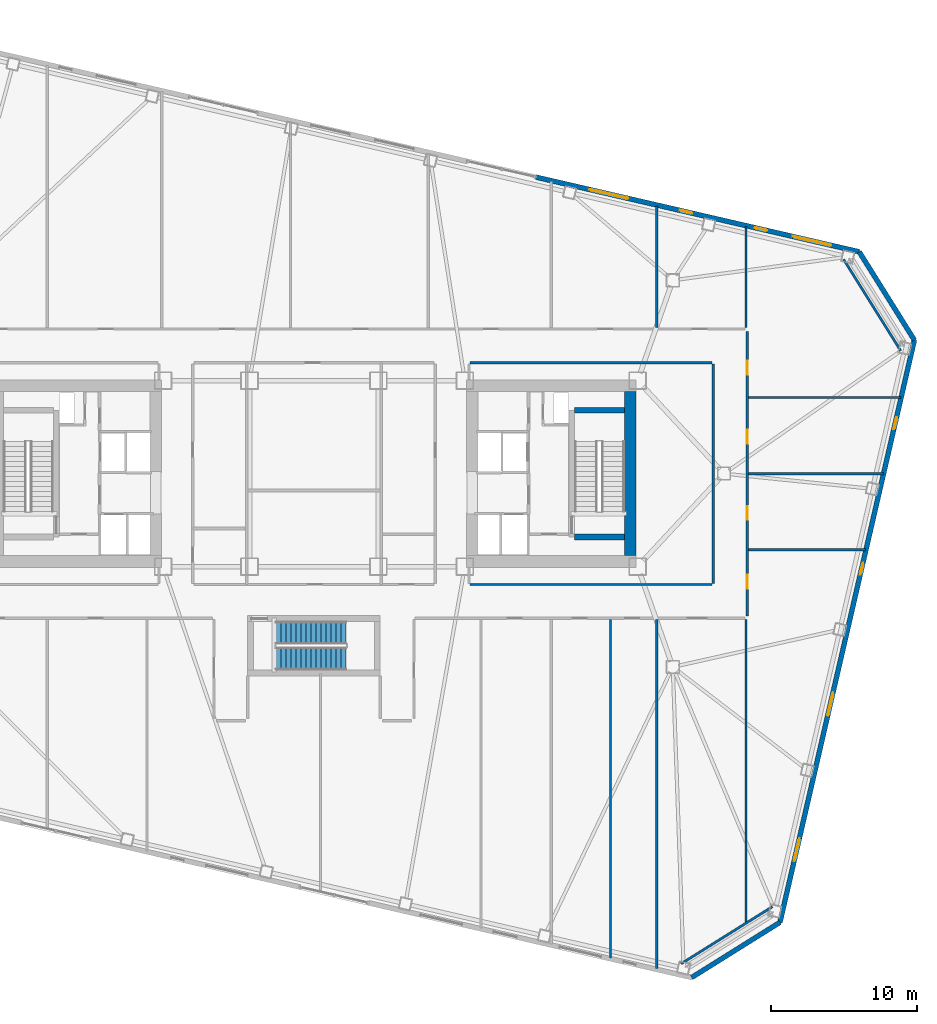
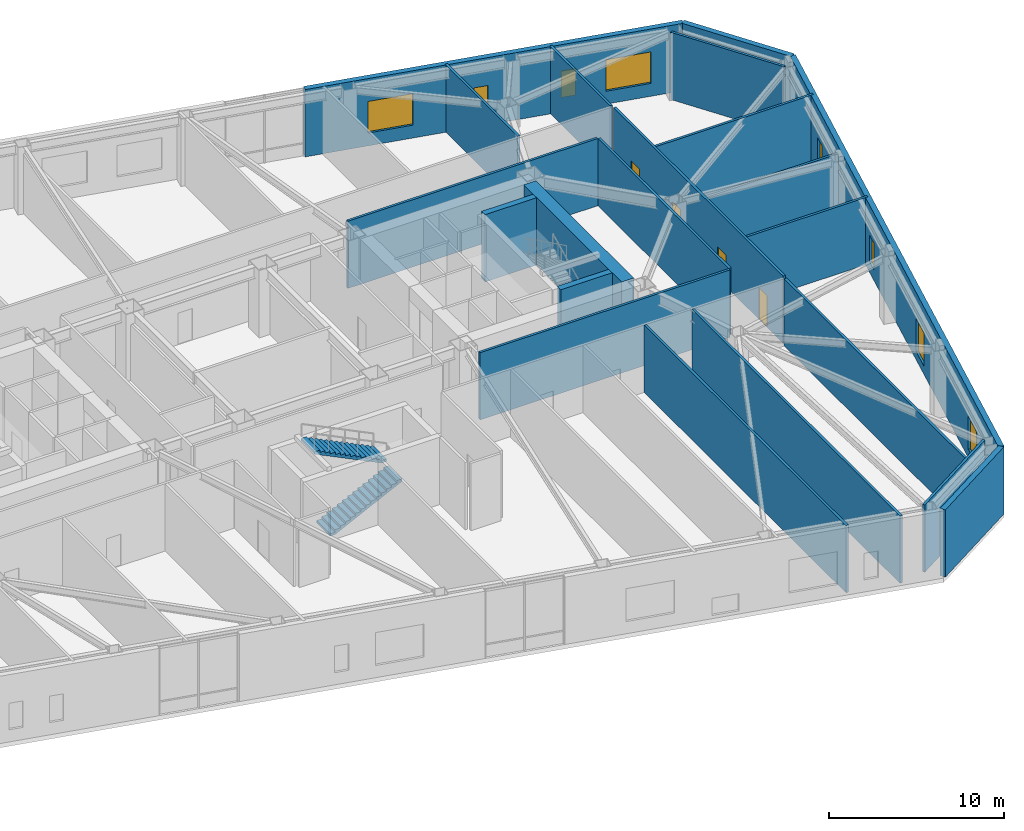
# One storey, part 13 of 20: 21 walls, 8 windows, 4 doors, 2 stair flights, 12 openings, 1 element without a shape of its own.
"""IFC4 building model written with IfcOpenShell, lengths in metres."""

from ifc_helpers import new_model, si_unit, direction, frame, frame_2d, origin, place, context, subcontext, project, spatial, polyline, rectangle, outline, extrude, material, layer, layer_set, type_object, element, fill, aggregate, save


model = new_model("IFC4")

# Units and contexts
model_context = context("Model", 3, precision=1e-05, world=origin(), true_north=direction((0.0, 1.0)))
body_context = subcontext(model_context, "Body", "Model", "MODEL_VIEW")
ifc_project = project(units=[si_unit("LENGTHUNIT", "METRE"), si_unit("AREAUNIT", "SQUARE_METRE"), si_unit("VOLUMEUNIT", "CUBIC_METRE"), si_unit("PLANEANGLEUNIT", "RADIAN"), si_unit("MASSUNIT", "GRAM", prefix="KILO")], contexts=[model_context])

# Site, building, storey
site_placement = place(None, origin())
site = spatial("IfcSite", under=ifc_project, at=site_placement, CompositionType="ELEMENT")
building_placement = place(site_placement, origin())
building = spatial("IfcBuilding", under=site, at=building_placement, Name="Tavrogorsk Clinical Tower", CompositionType="ELEMENT")
storey_placement = place(building_placement, frame((0.0, 0.0, 18.39990234375)))
storey = spatial("IfcBuildingStorey", under=building, at=storey_placement, Name="L03", CompositionType="ELEMENT", Elevation=18.39990234375)

# Walls
ifc_material_1 = material(Name="Lightweight concrete blockwork B15", Category="masonry")
ifc_layer_1 = layer(ifc_material_1, 0.159912109375)
ifc_layer_set_1 = layer_set([ifc_layer_1], Name="Lightweight concrete blockwork B15")
wall_type_1 = type_object("IfcWallType", Name="PartitionWall_160", PredefinedType="PARTITIONING", material=ifc_layer_set_1)
for number, where, z_axis, x_axis, name in (
    (1, (25.0595703125, -33.46826171875, 0.0), (0.0, 0.0, 1.0), (0.848043064089, 0.529927317139, 0.0), "L03 Corner Exoskeleton Brace Furring Wall 1"),
    (2, (40.059814453125, 8.389404296875, 0.0), (0.0, 0.0, 1.0), (-0.529927317139, 0.848043064089, 0.0), "L03 Corner Exoskeleton Brace Furring Wall 2"),
):
    element("IfcWall", number, at=place(storey_placement, frame(where, z_axis=z_axis, x_axis=x_axis)), inside=storey, type_object=wall_type_1, Name=name, PredefinedType="PARTITIONING", context=body_context, shape_type="SweptSolid", body=[
        extrude(rectangle(XDim=7.353759765625, YDim=0.159912109375, at=frame_2d((3.6767578125, 0.0))), origin(), (0.0, 0.0, 1.0), 4.7001953125),
    ])

# Wall, openings, doors
wall_1_placement = place(storey_placement, frame((29.580078125, 9.715087890625, 0.0), z_axis=(0.0, 0.0, 1.0), x_axis=(0.0, -1.0, 0.0)))
wall_1 = element("IfcWall", 3, at=wall_1_placement, inside=storey, type_object=wall_type_1, Name="L03 Corridor Partition 03", PredefinedType="PARTITIONING", context=body_context, shape_type="SweptSolid", body=[
    extrude(rectangle(XDim=19.43017578125, YDim=0.159912109375, at=frame_2d((9.715087890625, 0.0))), origin(), (0.0, 0.0, 1.0), 4.7001953125),
])
opening_1_placement = place(wall_1_placement, frame((16.630859375, 0.0, 0.0)))
opening_1 = element("IfcOpeningElement", 4, at=opening_1_placement, cuts=wall_1, Name="Opening ID-02", PredefinedType="OPENING", context=body_context, shape_type="SweptSolid", body=[
    extrude(rectangle(XDim=0.949951171875, YDim=2.199951171875, at=frame_2d((0.47509765625, 1.10009765625))), frame((0.0, 0.08984375, 0.0), z_axis=(0.0, -1.0, 0.0), x_axis=(1.0, 0.0, 0.0)), (0.0, 0.0, 1.0), 0.179931640625),
])
opening_2_placement = place(wall_1_placement, frame((11.925048828125, 0.0, 0.0)))
opening_2 = element("IfcOpeningElement", 5, at=opening_2_placement, cuts=wall_1, Name="Opening ID-02", PredefinedType="OPENING", context=body_context, shape_type="SweptSolid", body=[
    extrude(rectangle(XDim=0.949951171875, YDim=2.199951171875, at=frame_2d((0.47509765625, 1.10009765625))), frame((0.0, 0.08984375, 0.0), z_axis=(0.0, -1.0, 0.0), x_axis=(1.0, 0.0, 0.0)), (0.0, 0.0, 1.0), 0.179931640625),
])
opening_3_placement = place(wall_1_placement, frame((6.72509765625, 0.0, 0.0)))
opening_3 = element("IfcOpeningElement", 6, at=opening_3_placement, cuts=wall_1, Name="Opening ID-02", PredefinedType="OPENING", context=body_context, shape_type="SweptSolid", body=[
    extrude(rectangle(XDim=0.949951171875, YDim=2.199951171875, at=frame_2d((0.47509765625, 1.10009765625))), frame((0.0, 0.08984375, 0.0), z_axis=(0.0, -1.0, 0.0), x_axis=(1.0, 0.0, 0.0)), (0.0, 0.0, 1.0), 0.179931640625),
])
opening_4_placement = place(wall_1_placement, frame((2.01904296875, 0.0, 0.0)))
opening_4 = element("IfcOpeningElement", 7, at=opening_4_placement, cuts=wall_1, Name="Opening ID-02", PredefinedType="OPENING", context=body_context, shape_type="SweptSolid", body=[
    extrude(rectangle(XDim=0.949951171875, YDim=2.199951171875, at=frame_2d((0.47509765625, 1.10009765625))), frame((0.0, 0.08984375, 0.0), z_axis=(0.0, -1.0, 0.0), x_axis=(1.0, 0.0, 0.0)), (0.0, 0.0, 1.0), 0.179931640625),
])
ifc_material_2 = material(Name="Laminated timber leaf on aluminium frame", Category="wood")
door_type = type_object("IfcDoorType", Name="InteriorDoor_ID02_950", OperationType="NOTDEFINED", PredefinedType="DOOR", material=ifc_material_2)
door_1_placement = place(opening_1_placement, origin())
door_1 = element("IfcDoor", 8, at=door_1_placement, inside=storey, type_object=door_type, Name="L03 E Senior Clinician Suite 1 Door", OperationType="SINGLE_SWING_RIGHT", OverallHeight=2.199951171875, OverallWidth=0.949951171875, PredefinedType="DOOR", context=body_context, shape_type="SweptSolid", body=[
    extrude(rectangle(XDim=0.949951171875, YDim=2.199951171875, at=frame_2d((0.47509765625, 1.10009765625))), frame((0.0, 0.02490234375, 0.0), z_axis=(0.0, -1.0, 0.0), x_axis=(1.0, 0.0, 0.0)), (0.0, 0.0, 1.0), 0.050048828125),
])
fill(opening_1, door_1)
door_2_placement = place(opening_2_placement, origin())
door_2 = element("IfcDoor", 9, at=door_2_placement, inside=storey, type_object=door_type, Name="L03 E Multidisciplinary Seminar Suite 2 Door", OperationType="SINGLE_SWING_LEFT", OverallHeight=2.199951171875, OverallWidth=0.949951171875, PredefinedType="DOOR", context=body_context, shape_type="SweptSolid", body=[
    extrude(rectangle(XDim=0.949951171875, YDim=2.199951171875, at=frame_2d((0.47509765625, 1.10009765625))), frame((0.0, 0.02490234375, 0.0), z_axis=(0.0, -1.0, 0.0), x_axis=(1.0, 0.0, 0.0)), (0.0, 0.0, 1.0), 0.050048828125),
])
fill(opening_2, door_2)
door_3_placement = place(opening_3_placement, origin())
door_3 = element("IfcDoor", 10, at=door_3_placement, inside=storey, type_object=door_type, Name="L03 E Specialist Consultation Room 3 Door", OperationType="SINGLE_SWING_RIGHT", OverallHeight=2.199951171875, OverallWidth=0.949951171875, PredefinedType="DOOR", context=body_context, shape_type="SweptSolid", body=[
    extrude(rectangle(XDim=0.949951171875, YDim=2.199951171875, at=frame_2d((0.47509765625, 1.10009765625))), frame((0.0, 0.02490234375, 0.0), z_axis=(0.0, -1.0, 0.0), x_axis=(1.0, 0.0, 0.0)), (0.0, 0.0, 1.0), 0.050048828125),
])
fill(opening_3, door_3)
door_4_placement = place(opening_4_placement, origin())
door_4 = element("IfcDoor", 11, at=door_4_placement, inside=storey, type_object=door_type, Name="L03 E Clinical Fellows' Study 4 Door", OperationType="SINGLE_SWING_LEFT", OverallHeight=2.199951171875, OverallWidth=0.949951171875, PredefinedType="DOOR", context=body_context, shape_type="SweptSolid", body=[
    extrude(rectangle(XDim=0.949951171875, YDim=2.199951171875, at=frame_2d((0.47509765625, 1.10009765625))), frame((0.0, 0.02490234375, 0.0), z_axis=(0.0, -1.0, 0.0), x_axis=(1.0, 0.0, 0.0)), (0.0, 0.0, 1.0), 0.050048828125),
])
fill(opening_4, door_4)

# Walls
for number, where, z_axis, x_axis, name in (
    (12, (27.18505859375, 7.570068359375, 0.0), (0.0, 0.0, 1.0), (-1.0, 0.0, 0.0), "L03 Corridor Partition 12"),
    (13, (10.6650390625, -7.570068359375, 0.0), (0.0, 0.0, 1.0), (1.0, 0.0, 0.0), "L03 Corridor Partition 15"),
):
    element("IfcWall", number, at=place(storey_placement, frame(where, z_axis=z_axis, x_axis=x_axis)), inside=storey, type_object=wall_type_1, Name=name, PredefinedType="PARTITIONING", context=body_context, shape_type="SweptSolid", body=[
        extrude(rectangle(XDim=16.52001953125, YDim=0.159912109375, at=frame_2d((8.260009765625, 0.0))), origin(), (0.0, 0.0, 1.0), 4.7001953125),
    ])
wall_2_placement = place(storey_placement, frame((27.27001953125, -7.485107421875, 0.0), z_axis=(0.0, 0.0, 1.0), x_axis=(0.0, 1.0, 0.0)))
element("IfcWall", 14, at=wall_2_placement, inside=storey, type_object=wall_type_1, Name="L03 Corridor Partition 16", PredefinedType="PARTITIONING", context=body_context, shape_type="SweptSolid", body=[
    extrude(rectangle(XDim=14.97021484375, YDim=0.159912109375, at=frame_2d((7.485107421875, 0.0))), origin(), (0.0, 0.0, 1.0), 4.7001953125),
])
wall_3_placement = place(storey_placement, frame((29.5, 9.965087890625, 0.0), z_axis=(0.0, 0.0, 1.0), x_axis=(0.0, 1.0, 0.0)))
element("IfcWall", 15, at=wall_3_placement, inside=storey, type_object=wall_type_1, Name="L03 NE Wing Closure Partition", PredefinedType="PARTITIONING", context=body_context, shape_type="SweptSolid", body=[
    extrude(rectangle(XDim=6.897216796875, YDim=0.159912109375, at=frame_2d((3.44873046875, 0.0))), origin(), (0.0, 0.0, 1.0), 4.7001953125),
])
wall_4_placement = place(storey_placement, frame((29.5, -30.702880859375, 0.0), z_axis=(0.0, 0.0, 1.0), x_axis=(0.0, 1.0, 0.0)))
element("IfcWall", 16, at=wall_4_placement, inside=storey, type_object=wall_type_1, Name="L03 SE Wing Closure Partition", PredefinedType="PARTITIONING", context=body_context, shape_type="SweptSolid", body=[
    extrude(rectangle(XDim=20.73779296875, YDim=0.159912109375, at=frame_2d((10.368896484375, 0.0))), origin(), (0.0, 0.0, 1.0), 4.7001953125),
])
wall_5_placement = place(storey_placement, frame((23.39990234375, 9.965087890625, 0.0), z_axis=(0.0, 0.0, 1.0), x_axis=(0.0, 1.0, 0.0)))
element("IfcWall", 17, at=wall_5_placement, inside=storey, type_object=wall_type_1, Name="L03 North Room Partition 7", PredefinedType="PARTITIONING", context=body_context, shape_type="SweptSolid", body=[
    extrude(rectangle(XDim=8.3056640625, YDim=0.159912109375, at=frame_2d((4.15283203125, 0.0))), origin(), (0.0, 0.0, 1.0), 4.7001953125),
])
wall_6_placement = place(storey_placement, frame((23.39990234375, -33.783447265625, 0.0), z_axis=(0.0, 0.0, 1.0), x_axis=(0.0, 1.0, 0.0)))
element("IfcWall", 18, at=wall_6_placement, inside=storey, type_object=wall_type_1, Name="L03 South Room Partition 6", PredefinedType="PARTITIONING", context=body_context, shape_type="SweptSolid", body=[
    extrude(rectangle(XDim=23.818359375, YDim=0.159912109375, at=frame_2d((11.9091796875, 0.0))), origin(), (0.0, 0.0, 1.0), 4.7001953125),
])
wall_7_placement = place(storey_placement, frame((20.25, -33.05615234375, 0.0), z_axis=(0.0, 0.0, 1.0), x_axis=(0.0, 1.0, 0.0)))
element("IfcWall", 19, at=wall_7_placement, inside=storey, type_object=wall_type_1, Name="L03 South Sub-Partition 6", PredefinedType="PARTITIONING", context=body_context, shape_type="SweptSolid", body=[
    extrude(rectangle(XDim=23.091064453125, YDim=0.159912109375, at=frame_2d((11.54541015625, 0.0))), origin(), (0.0, 0.0, 1.0), 4.7001953125),
])
wall_8_placement = place(storey_placement, frame((29.6650390625, -5.199951171875, 0.0), z_axis=(0.0, 0.0, 1.0), x_axis=(1.0, 0.0, 0.0)))
element("IfcWall", 20, at=wall_8_placement, inside=storey, type_object=wall_type_1, Name="L03 E Wing Divider 1", PredefinedType="PARTITIONING", context=body_context, shape_type="SweptSolid", body=[
    extrude(rectangle(XDim=8.007080078125, YDim=0.159912109375, at=frame_2d((4.00341796875, 0.0))), origin(), (0.0, 0.0, 1.0), 4.7001953125),
])
wall_9_placement = place(storey_placement, frame((29.6650390625, 0.0, 0.0), z_axis=(0.0, 0.0, 1.0), x_axis=(1.0, 0.0, 0.0)))
element("IfcWall", 21, at=wall_9_placement, inside=storey, type_object=wall_type_1, Name="L03 E Wing Divider 2", PredefinedType="PARTITIONING", context=body_context, shape_type="SweptSolid", body=[
    extrude(rectangle(XDim=9.207763671875, YDim=0.159912109375, at=frame_2d((4.60400390625, 0.0))), origin(), (0.0, 0.0, 1.0), 4.195068359375),
])
wall_10_placement = place(storey_placement, frame((29.6650390625, 5.199951171875, 0.0), z_axis=(0.0, 0.0, 1.0), x_axis=(1.0, 0.0, 0.0)))
element("IfcWall", 22, at=wall_10_placement, inside=storey, type_object=wall_type_1, Name="L03 E Wing Divider 3", PredefinedType="PARTITIONING", context=body_context, shape_type="SweptSolid", body=[
    extrude(rectangle(XDim=10.408203125, YDim=0.159912109375, at=frame_2d((5.2041015625, 0.0))), origin(), (0.0, 0.0, 1.0), 4.7001953125),
])

# Wall, openings, windows
ifc_material_3 = material(Name="Precast concrete B45 with limestone cladding", Category="masonry")
ifc_layer_2 = layer(ifc_material_3, 0.340087890625)
ifc_layer_set_2 = layer_set([ifc_layer_2], Name="Precast concrete B45 with limestone cladding")
wall_type_2 = type_object("IfcWallType", Name="PrecastLimestoneWall_340", PredefinedType="STANDARD", material=ifc_layer_set_2)
wall_11_placement = place(storey_placement, frame((37.228515625, 15.14990234375, 0.0), z_axis=(0.0, 0.0, 1.0), x_axis=(-0.97436993772, 0.224951604723, 0.0)))
wall_11 = element("IfcWall", 23, at=wall_11_placement, inside=storey, type_object=wall_type_2, Name="L03 N Limestone Facade Wall 1", PredefinedType="STANDARD", context=body_context, shape_type="SweptSolid", body=[
    extrude(rectangle(XDim=22.6513671875, YDim=0.340087890625, at=frame_2d((11.32568359375, 0.0))), origin(), (0.0, 0.0, 1.0), 4.7001953125),
])
opening_5_placement = place(wall_11_placement, frame((16.195068359375, 0.0, 0.89990234375)))
opening_5 = element("IfcOpeningElement", 24, at=opening_5_placement, cuts=wall_11, Name="Opening WN-02", PredefinedType="OPENING", context=body_context, shape_type="SweptSolid", body=[
    extrude(rectangle(XDim=2.699951171875, YDim=2.199951171875, at=frame_2d((1.35009765625, 1.10009765625))), frame((0.0, 0.179931640625, 0.0), z_axis=(0.0, -1.0, 0.0), x_axis=(1.0, 0.0, 0.0)), (0.0, 0.0, 1.0), 0.360107421875),
])
opening_6_placement = place(wall_11_placement, frame((11.710693359375, 0.0, 0.89990234375)))
opening_6 = element("IfcOpeningElement", 25, at=opening_6_placement, cuts=wall_11, Name="Opening WN-06", PredefinedType="OPENING", context=body_context, shape_type="SweptSolid", body=[
    extrude(rectangle(XDim=0.85009765625, YDim=1.85009765625, at=frame_2d((0.425048828125, 0.925048828125))), frame((0.0, 0.179931640625, 0.0), z_axis=(0.0, -1.0, 0.0), x_axis=(1.0, 0.0, 0.0)), (0.0, 0.0, 1.0), 0.360107421875),
])
opening_7_placement = place(wall_11_placement, frame((6.446533203125, 0.0, 0.89990234375)))
opening_7 = element("IfcOpeningElement", 26, at=opening_7_placement, cuts=wall_11, Name="Opening WN-06", PredefinedType="OPENING", context=body_context, shape_type="SweptSolid", body=[
    extrude(rectangle(XDim=0.85009765625, YDim=1.85009765625, at=frame_2d((0.425048828125, 0.925048828125))), frame((0.0, 0.179931640625, 0.0), z_axis=(0.0, -1.0, 0.0), x_axis=(1.0, 0.0, 0.0)), (0.0, 0.0, 1.0), 0.360107421875),
])
opening_8_placement = place(wall_11_placement, frame((1.962158203125, 0.0, 0.89990234375)))
opening_8 = element("IfcOpeningElement", 27, at=opening_8_placement, cuts=wall_11, Name="Opening WN-02", PredefinedType="OPENING", context=body_context, shape_type="SweptSolid", body=[
    extrude(rectangle(XDim=2.699951171875, YDim=2.199951171875, at=frame_2d((1.35009765625, 1.10009765625))), frame((0.0, 0.179931640625, 0.0), z_axis=(0.0, -1.0, 0.0), x_axis=(1.0, 0.0, 0.0)), (0.0, 0.0, 1.0), 0.360107421875),
])
ifc_material_4 = material(Name="Thermally broken aluminium frame and triple IGU", Category="aluminium")
window_type_1 = type_object("IfcWindowType", Name="MullionSubWin_850x1850", PartitioningType="SINGLE_PANEL", PredefinedType="WINDOW", material=ifc_material_4)
window_1_placement = place(opening_6_placement, origin())
window_1 = element("IfcWindow", 28, at=window_1_placement, inside=storey, type_object=window_type_1, Name="L03 N Mullion Split Window 08A", OverallHeight=1.85009765625, OverallWidth=0.85009765625, PartitioningType="SINGLE_PANEL", PredefinedType="WINDOW", context=body_context, shape_type="SweptSolid", body=[
    extrude(rectangle(XDim=0.85009765625, YDim=1.85009765625, at=frame_2d((0.425048828125, 0.925048828125))), frame((0.0, 0.030029296875, 0.0), z_axis=(0.0, -1.0, 0.0), x_axis=(1.0, 0.0, 0.0)), (0.0, 0.0, 1.0), 0.06005859375),
])
fill(opening_6, window_1)
window_2_placement = place(opening_7_placement, origin())
window_2 = element("IfcWindow", 29, at=window_2_placement, inside=storey, type_object=window_type_1, Name="L03 N Mullion Split Window 09A", OverallHeight=1.85009765625, OverallWidth=0.85009765625, PartitioningType="SINGLE_PANEL", PredefinedType="WINDOW", context=body_context, shape_type="SweptSolid", body=[
    extrude(rectangle(XDim=0.85009765625, YDim=1.85009765625, at=frame_2d((0.425048828125, 0.925048828125))), frame((0.0, 0.030029296875, 0.0), z_axis=(0.0, -1.0, 0.0), x_axis=(1.0, 0.0, 0.0)), (0.0, 0.0, 1.0), 0.06005859375),
])
fill(opening_7, window_2)
ifc_material_5 = material(Name="Thermally broken aluminium frame and triple IGU", Category="aluminium")
window_type_2 = type_object("IfcWindowType", Name="WardChicagoWin_2700x2200", PartitioningType="TRIPLE_PANEL_HORIZONTAL", PredefinedType="WINDOW", material=ifc_material_5)
window_3_placement = place(opening_5_placement, origin())
window_3 = element("IfcWindow", 30, at=window_3_placement, inside=storey, type_object=window_type_2, Name="L03 N Chicago Window 07", OverallHeight=2.199951171875, OverallWidth=2.699951171875, PartitioningType="SINGLE_PANEL", PredefinedType="WINDOW", context=body_context, shape_type="SweptSolid", body=[
    extrude(rectangle(XDim=2.699951171875, YDim=2.199951171875, at=frame_2d((1.35009765625, 1.10009765625))), frame((0.0, 0.030029296875, 0.0), z_axis=(0.0, -1.0, 0.0), x_axis=(1.0, 0.0, 0.0)), (0.0, 0.0, 1.0), 0.06005859375),
])
fill(opening_5, window_3)
window_4_placement = place(opening_8_placement, origin())
window_4 = element("IfcWindow", 31, at=window_4_placement, inside=storey, type_object=window_type_2, Name="L03 N Chicago Window 10", OverallHeight=2.199951171875, OverallWidth=2.699951171875, PartitioningType="SINGLE_PANEL", PredefinedType="WINDOW", context=body_context, shape_type="SweptSolid", body=[
    extrude(rectangle(XDim=2.699951171875, YDim=2.199951171875, at=frame_2d((1.35009765625, 1.10009765625))), frame((0.0, 0.030029296875, 0.0), z_axis=(0.0, -1.0, 0.0), x_axis=(1.0, 0.0, 0.0)), (0.0, 0.0, 1.0), 0.06005859375),
])
fill(opening_8, window_4)

wall_12_placement = place(storey_placement, frame((31.820068359375, -30.636962890625, 0.0), z_axis=(0.0, 0.0, 1.0), x_axis=(0.224949969076, 0.974370315338, 0.0)))
wall_12 = element("IfcWall", 32, at=wall_12_placement, inside=storey, type_object=wall_type_2, Name="L03 E Pleated Limestone Wing Wall", PredefinedType="STANDARD", context=body_context, shape_type="SweptSolid", body=[
    extrude(rectangle(XDim=40.800048828125, YDim=0.340087890625, at=frame_2d((20.39990234375, 0.0))), origin(), (0.0, 0.0, 1.0), 4.7001953125),
])
opening_9_placement = place(wall_12_placement, frame((4.300048828125, 0.0, 0.580078125)))
opening_9 = element("IfcOpeningElement", 33, at=opening_9_placement, cuts=wall_12, Name="Opening WN-07", PredefinedType="OPENING", context=body_context, shape_type="SweptSolid", body=[
    extrude(rectangle(XDim=1.60009765625, YDim=2.300048828125, at=frame_2d((0.800048828125, 1.14990234375))), frame((0.0, 0.179931640625, 0.0), z_axis=(0.0, -1.0, 0.0), x_axis=(1.0, 0.0, 0.0)), (0.0, 0.0, 1.0), 0.360107421875),
])
opening_10_placement = place(wall_12_placement, frame((14.5, 0.0, 0.580078125)))
opening_10 = element("IfcOpeningElement", 34, at=opening_10_placement, cuts=wall_12, Name="Opening WN-07", PredefinedType="OPENING", context=body_context, shape_type="SweptSolid", body=[
    extrude(rectangle(XDim=1.60009765625, YDim=2.300048828125, at=frame_2d((0.800048828125, 1.14990234375))), frame((0.0, 0.179931640625, 0.0), z_axis=(0.0, -1.0, 0.0), x_axis=(1.0, 0.0, 0.0)), (0.0, 0.0, 1.0), 0.360107421875),
])
opening_11_placement = place(wall_12_placement, frame((24.35009765625, 0.0, 0.75)))
opening_11 = element("IfcOpeningElement", 35, at=opening_11_placement, cuts=wall_12, Name="Opening WN-06", PredefinedType="OPENING", context=body_context, shape_type="SweptSolid", body=[
    extrude(rectangle(XDim=0.85009765625, YDim=1.85009765625, at=frame_2d((0.425048828125, 0.925048828125))), frame((0.0, 0.179931640625, 0.0), z_axis=(0.0, -1.0, 0.0), x_axis=(1.0, 0.0, 0.0)), (0.0, 0.0, 1.0), 0.360107421875),
])
opening_12_placement = place(wall_12_placement, frame((34.550048828125, 0.0, 0.75)))
opening_12 = element("IfcOpeningElement", 36, at=opening_12_placement, cuts=wall_12, Name="Opening WN-06", PredefinedType="OPENING", context=body_context, shape_type="SweptSolid", body=[
    extrude(rectangle(XDim=0.85009765625, YDim=1.85009765625, at=frame_2d((0.425048828125, 0.925048828125))), frame((0.0, 0.179931640625, 0.0), z_axis=(0.0, -1.0, 0.0), x_axis=(1.0, 0.0, 0.0)), (0.0, 0.0, 1.0), 0.360107421875),
])
window_5_placement = place(opening_11_placement, origin())
window_5 = element("IfcWindow", 37, at=window_5_placement, inside=storey, type_object=window_type_1, Name="L03 E Pleat Mullion Window 3A", OverallHeight=1.85009765625, OverallWidth=0.85009765625, PartitioningType="SINGLE_PANEL", PredefinedType="WINDOW", context=body_context, shape_type="SweptSolid", body=[
    extrude(rectangle(XDim=0.85009765625, YDim=1.85009765625, at=frame_2d((0.425048828125, 0.925048828125))), frame((0.0, 0.030029296875, 0.0), z_axis=(0.0, -1.0, 0.0), x_axis=(1.0, 0.0, 0.0)), (0.0, 0.0, 1.0), 0.06005859375),
])
fill(opening_11, window_5)
window_6_placement = place(opening_12_placement, origin())
window_6 = element("IfcWindow", 38, at=window_6_placement, inside=storey, type_object=window_type_1, Name="L03 E Pleat Mullion Window 4A", OverallHeight=1.85009765625, OverallWidth=0.85009765625, PartitioningType="SINGLE_PANEL", PredefinedType="WINDOW", context=body_context, shape_type="SweptSolid", body=[
    extrude(rectangle(XDim=0.85009765625, YDim=1.85009765625, at=frame_2d((0.425048828125, 0.925048828125))), frame((0.0, 0.030029296875, 0.0), z_axis=(0.0, -1.0, 0.0), x_axis=(1.0, 0.0, 0.0)), (0.0, 0.0, 1.0), 0.06005859375),
])
fill(opening_12, window_6)
ifc_material_6 = material(Name="Thermally broken aluminium frame and triple IGU", Category="aluminium")
window_type_3 = type_object("IfcWindowType", Name="PleatSlotWin_1600x2300", PartitioningType="SINGLE_PANEL", PredefinedType="WINDOW", material=ifc_material_6)
window_7_placement = place(opening_9_placement, origin())
window_7 = element("IfcWindow", 39, at=window_7_placement, inside=storey, type_object=window_type_3, Name="L03 E Pleat Slot Window 1", OverallHeight=2.300048828125, OverallWidth=1.60009765625, PartitioningType="SINGLE_PANEL", PredefinedType="WINDOW", context=body_context, shape_type="SweptSolid", body=[
    extrude(rectangle(XDim=1.60009765625, YDim=2.300048828125, at=frame_2d((0.800048828125, 1.14990234375))), frame((0.0, 0.030029296875, 0.0), z_axis=(0.0, -1.0, 0.0), x_axis=(1.0, 0.0, 0.0)), (0.0, 0.0, 1.0), 0.06005859375),
])
fill(opening_9, window_7)
window_8_placement = place(opening_10_placement, origin())
window_8 = element("IfcWindow", 40, at=window_8_placement, inside=storey, type_object=window_type_3, Name="L03 E Pleat Slot Window 2", OverallHeight=2.300048828125, OverallWidth=1.60009765625, PartitioningType="SINGLE_PANEL", PredefinedType="WINDOW", context=body_context, shape_type="SweptSolid", body=[
    extrude(rectangle(XDim=1.60009765625, YDim=2.300048828125, at=frame_2d((0.800048828125, 1.14990234375))), frame((0.0, 0.030029296875, 0.0), z_axis=(0.0, -1.0, 0.0), x_axis=(1.0, 0.0, 0.0)), (0.0, 0.0, 1.0), 0.06005859375),
])
fill(opening_10, window_8)

# Walls
for number, where, z_axis, x_axis, name in (
    (41, (25.78759765625, -34.406494140625, 0.0), (0.0, 0.0, 1.0), (0.848046504656, 0.529921811158, 0.0), "L03 Chamfered Corner Wall 1"),
    (42, (40.998046875, 9.117431640625, 0.0), (0.0, 0.0, 1.0), (-0.529921811158, 0.848046504656, 0.0), "L03 Chamfered Corner Wall 2"),
):
    element("IfcWall", number, at=place(storey_placement, frame(where, z_axis=z_axis, x_axis=x_axis)), inside=storey, type_object=wall_type_2, Name=name, PredefinedType="STANDARD", context=body_context, shape_type="SweptSolid", body=[
        extrude(rectangle(XDim=7.11328125, YDim=0.340087890625, at=frame_2d((3.556640625, 0.0))), origin(), (0.0, 0.0, 1.0), 4.7001953125),
    ])
ifc_material_7 = material(Name="Concrete B80", Category="concrete")
ifc_layer_3 = layer(ifc_material_7, 0.39990234375)
ifc_layer_set_3 = layer_set([ifc_layer_3], Name="Concrete B80")
wall_type_3 = type_object("IfcWallType", Name="ShearWall_400", PredefinedType="SHEAR", material=ifc_layer_set_3)
for number, where, z_axis, x_axis, name in (
    (43, (17.800048828125, -4.324951171875, 0.0), (0.0, 0.0, 1.0), (1.0, 0.0, 0.0), "L03 Core East Stair Shaft South Shear Wall"),
    (44, (17.800048828125, 4.324951171875, 0.0), (0.0, 0.0, 1.0), (1.0, 0.0, 0.0), "L03 Core East Stair Shaft North Shear Wall"),
):
    element("IfcWall", number, at=place(storey_placement, frame(where, z_axis=z_axis, x_axis=x_axis)), inside=storey, type_object=wall_type_3, Name=name, PredefinedType="SHEAR", context=body_context, shape_type="SweptSolid", body=[
        extrude(rectangle(XDim=3.39990234375, YDim=0.39990234375, at=frame_2d((1.699951171875, 0.0))), origin(), (0.0, 0.0, 1.0), 4.7001953125),
    ])
ifc_material_8 = material(Name="Concrete B80", Category="concrete")
ifc_layer_4 = layer(ifc_material_8, 0.800048828125)
ifc_layer_set_4 = layer_set([ifc_layer_4], Name="Concrete B80")
wall_type_4 = type_object("IfcWallType", Name="ShearWall_800", PredefinedType="SHEAR", material=ifc_layer_set_4)
wall_13_placement = place(storey_placement, frame((21.60009765625, -5.60009765625, 0.0), z_axis=(0.0, 0.0, 1.0), x_axis=(0.0, 1.0, 0.0)))
element("IfcWall", 45, at=wall_13_placement, inside=storey, type_object=wall_type_4, Name="L03 Core East End Shear Wall", PredefinedType="SHEAR", context=body_context, shape_type="SweptSolid", body=[
    extrude(rectangle(XDim=11.2001953125, YDim=0.800048828125, at=frame_2d((5.60009765625, 0.0))), origin(), (0.0, 0.0, 1.0), 4.7001953125),
])

# Stair, stair flights
ifc_material_9 = material(Name="Concrete B60", Category="concrete")
stair_type = type_object("IfcStairType", Name="CoreStairAssembly", PredefinedType="HALF_TURN_STAIR", material=ifc_material_9)
stair_placement = place(storey_placement, origin())
stair = element("IfcStair", 46, at=stair_placement, inside=storey, type_object=stair_type, Name="L03 ST-P", PredefinedType="HALF_TURN_STAIR")
ifc_material_10 = material(Name="Concrete B60", Category="concrete")
stair_flight_type = type_object("IfcStairFlightType", Name="CoreStairFlight", PredefinedType="STRAIGHT", material=ifc_material_10)
stair_flight_1_placement = place(storey_placement, frame((-2.574951171875, -12.625, 0.0), z_axis=(0.0, 0.0, 1.0), x_axis=(1.0, 0.0, 0.0)))
stair_flight_1 = element("IfcStairFlight", 47, at=stair_flight_1_placement, type_object=stair_flight_type, Name="ST-P flight 1", NumberOfRisers=15, NumberOfTreads=14, PredefinedType="STRAIGHT", RiserHeight=0.166666667, TreadLength=0.34, context=body_context, shape_type="SweptSolid", body=[
    extrude(outline(polyline([(0.0, 0.0), (0.0, 0.166748046875), (0.340087890625, 0.166748046875), (0.340087890625, 0.333251953125), (0.679931640625, 0.333251953125), (0.679931640625, 0.5), (1.02001953125, 0.5), (1.02001953125, 0.666748046875), (1.360107421875, 0.666748046875), (1.360107421875, 0.833251953125), (1.699951171875, 0.833251953125), (1.699951171875, 1.0), (2.0400390625, 1.0), (2.0400390625, 1.166748046875), (2.3798828125, 1.166748046875), (2.3798828125, 1.333251953125), (2.719970703125, 1.333251953125), (2.719970703125, 1.5), (3.06005859375, 1.5), (3.06005859375, 1.666748046875), (3.39990234375, 1.666748046875), (3.39990234375, 1.833251953125), (3.739990234375, 1.833251953125), (3.739990234375, 2.0), (4.080078125, 2.0), (4.080078125, 2.166748046875), (4.419921875, 2.166748046875), (4.419921875, 2.333251953125), (4.760009765625, 2.333251953125), (4.760009765625, 2.5), (4.760009765625, 2.16650390625), (0.340576171875, 0.0), (0.0, 0.0)])), frame((0.0, 0.77490234375, 0.0), z_axis=(0.0, -1.0, 0.0), x_axis=(1.0, 0.0, 0.0)), (0.0, 0.0, 1.0), 1.550048828125),
])
stair_flight_2_placement = place(storey_placement, frame((2.18505859375, -10.875, 2.5), z_axis=(0.0, 0.0, 1.0), x_axis=(-1.0, 0.0, 0.0)))
stair_flight_2 = element("IfcStairFlight", 48, at=stair_flight_2_placement, type_object=stair_flight_type, Name="ST-P flight 2", NumberOfRisers=15, NumberOfTreads=14, PredefinedType="STRAIGHT", RiserHeight=0.166666667, TreadLength=0.34, context=body_context, shape_type="SweptSolid", body=[
    extrude(outline(polyline([(0.0, 0.0), (0.0, 0.166748046875), (0.340087890625, 0.166748046875), (0.340087890625, 0.333251953125), (0.679931640625, 0.333251953125), (0.679931640625, 0.5), (1.02001953125, 0.5), (1.02001953125, 0.666748046875), (1.360107421875, 0.666748046875), (1.360107421875, 0.833251953125), (1.699951171875, 0.833251953125), (1.699951171875, 1.0), (2.0400390625, 1.0), (2.0400390625, 1.166748046875), (2.3798828125, 1.166748046875), (2.3798828125, 1.333251953125), (2.719970703125, 1.333251953125), (2.719970703125, 1.5), (3.06005859375, 1.5), (3.06005859375, 1.666748046875), (3.39990234375, 1.666748046875), (3.39990234375, 1.833251953125), (3.739990234375, 1.833251953125), (3.739990234375, 2.0), (4.080078125, 2.0), (4.080078125, 2.166748046875), (4.419921875, 2.166748046875), (4.419921875, 2.333251953125), (4.760009765625, 2.333251953125), (4.760009765625, 2.5), (4.760009765625, 2.16650390625), (0.340576171875, 0.0), (0.0, 0.0)])), frame((0.0, 0.77490234375, 0.0), z_axis=(0.0, -1.0, 0.0), x_axis=(1.0, 0.0, 0.0)), (0.0, 0.0, 1.0), 1.550048828125),
])
aggregate(stair, [stair_flight_1, stair_flight_2])

save(model, "model.ifc")
